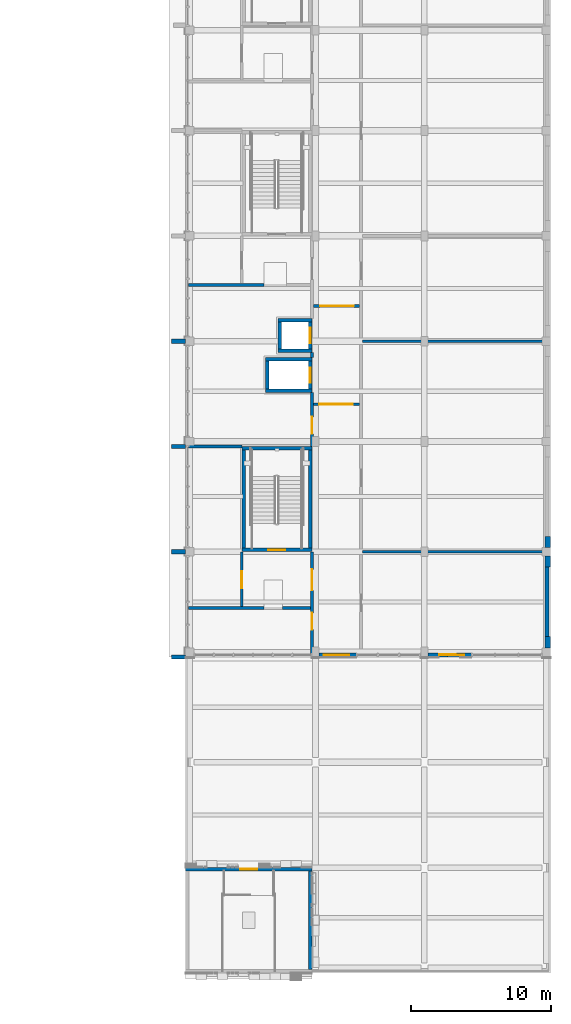
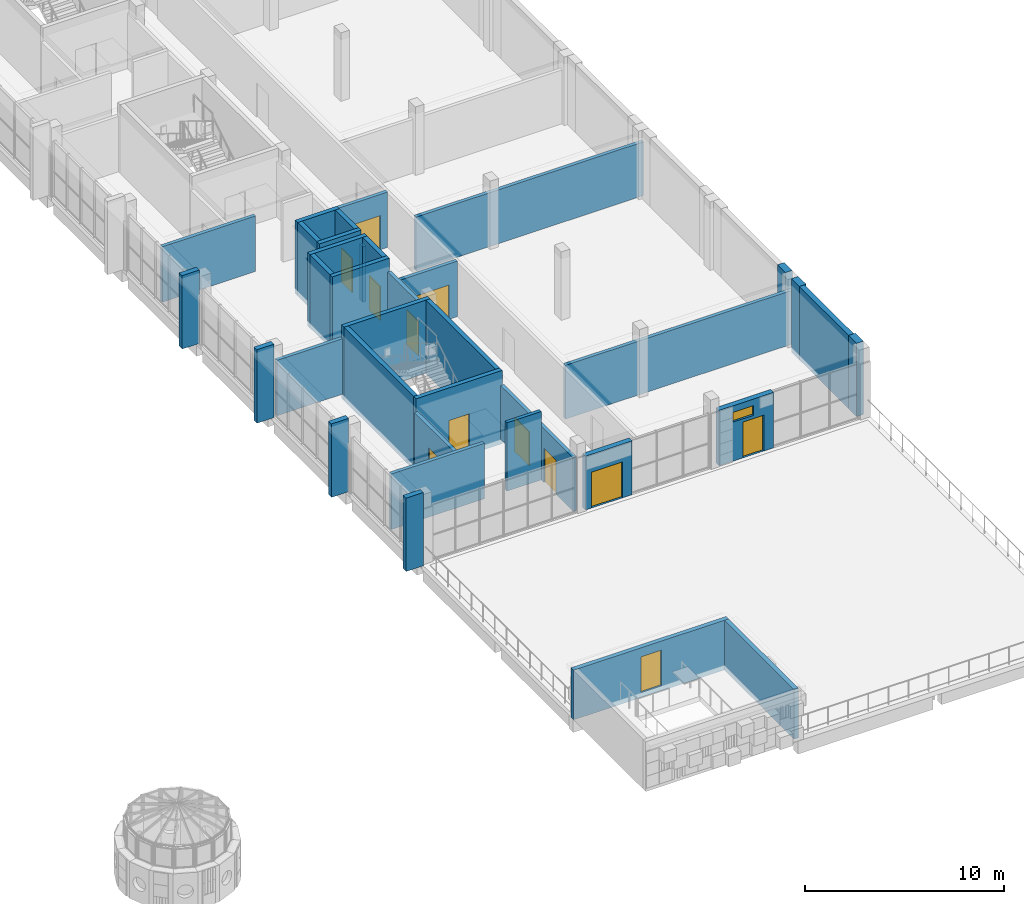
# One storey, part 29 of 42: 36 walls, 12 doors, 1 window, 13 openings.
"""IFC4 building model written with IfcOpenShell, lengths in metres."""

from ifc_helpers import new_model, si_unit, direction, frame, frame_2d, origin, place, context, subcontext, project, spatial, rectangle, extrude, material, layer, layer_set, type_object, element, fill, save


model = new_model("IFC4")

# Units and contexts
model_context = context("Model", 3, precision=1e-05, world=origin(), true_north=direction((0.0, 1.0)))
body_context = subcontext(model_context, "Body", "Model", "MODEL_VIEW")
ifc_project = project(units=[si_unit("LENGTHUNIT", "METRE"), si_unit("AREAUNIT", "SQUARE_METRE"), si_unit("VOLUMEUNIT", "CUBIC_METRE"), si_unit("PLANEANGLEUNIT", "RADIAN"), si_unit("MASSUNIT", "GRAM", prefix="KILO")], contexts=[model_context])

# Site, building, storey
site_placement = place(None, origin())
site = spatial("IfcSite", under=ifc_project, at=site_placement, CompositionType="ELEMENT")
building_placement = place(site_placement, origin())
building = spatial("IfcBuilding", under=site, at=building_placement, Name="Sun Court Science Centre", CompositionType="ELEMENT")
storey_placement = place(building_placement, frame((0.0, 0.0, 20.25)))
storey = spatial("IfcBuildingStorey", under=building, at=storey_placement, Name="L04", CompositionType="ELEMENT", Elevation=20.25)

# Wall, openings, door, window
ifc_material_1 = material(Name="Clay masonry", Category="masonry")
ifc_layer_1 = layer(ifc_material_1, 0.300048828125)
ifc_layer_set_1 = layer_set([ifc_layer_1], Name="Clay masonry")
wall_type_1 = type_object("IfcWallType", Name="Clay masonry infill wall 300", PredefinedType="SOLIDWALL", material=ifc_layer_set_1)
wall_1_placement = place(storey_placement, frame((98.409912109375, 28.64990234375, 0.0), z_axis=(0.0, 0.0, 1.0), x_axis=(-1.0, 0.0, 0.0)))
wall_1 = element("IfcWall", 1, at=wall_1_placement, inside=storey, type_object=wall_type_1, Name="External infill wall L04 south face of the garden level 01", PredefinedType="SOLIDWALL", context=body_context, shape_type="SweptSolid", body=[
    extrude(rectangle(XDim=3.159912109375, YDim=0.300048828125, at=frame_2d((1.580078125, 0.0))), origin(), (0.0, 0.0, 1.0), 3.39990234375),
])
opening_1_placement = place(wall_1_placement, frame((0.56005859375, 0.0, 0.0)))
opening_1 = element("IfcOpeningElement", 2, at=opening_1_placement, cuts=wall_1, Name="Opening D-L04-022", PredefinedType="OPENING", context=body_context, shape_type="SweptSolid", body=[
    extrude(rectangle(XDim=1.199951171875, YDim=2.199951171875, at=frame_2d((0.60009765625, 1.10009765625))), frame((0.0, 0.159912109375, 0.0), z_axis=(0.0, -1.0, 0.0), x_axis=(1.0, 0.0, 0.0)), (0.0, 0.0, 1.0), 0.320068359375),
])
opening_2_placement = place(wall_1_placement, frame((1.159912109375, 0.0, 2.39990234375)))
opening_2 = element("IfcOpeningElement", 3, at=opening_2_placement, cuts=wall_1, Name="Opening WN-L04-057", PredefinedType="OPENING", context=body_context, shape_type="SweptSolid", body=[
    extrude(rectangle(XDim=1.199951171875, YDim=0.60009765625, at=frame_2d((0.60009765625, 0.300048828125))), frame((0.0, 0.159912109375, 0.0), z_axis=(0.0, -1.0, 0.0), x_axis=(1.0, 0.0, 0.0)), (0.0, 0.0, 1.0), 0.320068359375),
])
ifc_material_2 = material(Name="Steel and glass", Category="steel")
door_type_1 = type_object("IfcDoorType", Name="Exterior door 1200 x 2200 single", OperationType="SINGLE_SWING_LEFT", PredefinedType="DOOR", material=ifc_material_2)
door_1_placement = place(opening_1_placement, origin())
door_1 = element("IfcDoor", 4, at=door_1_placement, inside=storey, type_object=door_type_1, Name="Exterior door D-L04-022 to the roof garden", OperationType="SINGLE_SWING_LEFT", OverallHeight=2.199951171875, OverallWidth=1.199951171875, PredefinedType="DOOR", context=body_context, shape_type="SweptSolid", body=[
    extrude(rectangle(XDim=1.199951171875, YDim=2.199951171875, at=frame_2d((0.60009765625, 1.10009765625))), frame((0.0, 0.02490234375, 0.0), z_axis=(0.0, -1.0, 0.0), x_axis=(1.0, 0.0, 0.0)), (0.0, 0.0, 1.0), 0.050048828125),
])
fill(opening_1, door_1)
ifc_material_3 = material(Name="Aluminium frame, 6-12-6 glazing", Category="aluminium")
window_type = type_object("IfcWindowType", Name="Smoke vent opening light 1200 x 600", PartitioningType="SINGLE_PANEL", PredefinedType="WINDOW", material=ifc_material_3)
window_placement = place(opening_2_placement, origin())
window = element("IfcWindow", 5, at=window_placement, inside=storey, type_object=window_type, Name="Smoke vent L04 south face of the garden level", OverallHeight=0.60009765625, OverallWidth=1.199951171875, PartitioningType="SINGLE_PANEL", PredefinedType="WINDOW", context=body_context, shape_type="SweptSolid", body=[
    extrude(rectangle(XDim=1.199951171875, YDim=0.60009765625, at=frame_2d((0.60009765625, 0.300048828125))), frame((0.0, 0.030029296875, 0.0), z_axis=(0.0, -1.0, 0.0), x_axis=(1.0, 0.0, 0.0)), (0.0, 0.0, 1.0), 0.06005859375),
])
fill(opening_2, window)

# Wall, opening, door
wall_2_placement = place(storey_placement, frame((90.2099609375, 28.64990234375, 0.0), z_axis=(0.0, 0.0, 1.0), x_axis=(-1.0, 0.0, 0.0)))
wall_2 = element("IfcWall", 6, at=wall_2_placement, inside=storey, type_object=wall_type_1, Name="External infill wall L04 south face of the garden level 02", PredefinedType="SOLIDWALL", context=body_context, shape_type="SweptSolid", body=[
    extrude(rectangle(XDim=2.7099609375, YDim=0.300048828125, at=frame_2d((1.35498046875, 0.0))), origin(), (0.0, 0.0, 1.0), 3.300048828125),
])
opening_3_placement = place(wall_2_placement, frame((0.56005859375, 0.0, 0.0)))
opening_3 = element("IfcOpeningElement", 7, at=opening_3_placement, cuts=wall_2, Name="Opening D-L04-023", PredefinedType="OPENING", context=body_context, shape_type="SweptSolid", body=[
    extrude(rectangle(XDim=1.800048828125, YDim=2.199951171875, at=frame_2d((0.89990234375, 1.10009765625))), frame((0.0, 0.159912109375, 0.0), z_axis=(0.0, -1.0, 0.0), x_axis=(1.0, 0.0, 0.0)), (0.0, 0.0, 1.0), 0.320068359375),
])
ifc_material_4 = material(Name="Steel and glass", Category="steel")
door_type_2 = type_object("IfcDoorType", Name="Exterior door 1800 x 2200 double", OperationType="DOUBLE_DOOR_SINGLE_SWING", PredefinedType="DOOR", material=ifc_material_4)
door_2_placement = place(opening_3_placement, origin())
door_2 = element("IfcDoor", 8, at=door_2_placement, inside=storey, type_object=door_type_2, Name="Exterior door D-L04-023 to the roof garden", OperationType="SINGLE_SWING_LEFT", OverallHeight=2.199951171875, OverallWidth=1.800048828125, PredefinedType="DOOR", context=body_context, shape_type="SweptSolid", body=[
    extrude(rectangle(XDim=1.800048828125, YDim=2.199951171875, at=frame_2d((0.89990234375, 1.10009765625))), frame((0.0, 0.02490234375, 0.0), z_axis=(0.0, -1.0, 0.0), x_axis=(1.0, 0.0, 0.0)), (0.0, 0.0, 1.0), 0.050048828125),
])
fill(opening_3, door_2)

# Walls
ifc_material_5 = material(Name="Concrete C30/37", Category="concrete")
ifc_layer_2 = layer(ifc_material_5, 0.300048828125)
ifc_layer_set_2 = layer_set([ifc_layer_2], Name="Concrete C30/37")
wall_type_2 = type_object("IfcWallType", Name="Facade fin RC 300", PredefinedType="SOLIDWALL", material=ifc_layer_set_2)
for number, where, z_axis, x_axis, name in (
    (9, (77.0, 28.5, 0.0), (0.0, 0.0, 1.0), (1.0, 0.0, 0.0), "Facade fin 01 L04"),
    (10, (77.0, 36.0, 0.0), (0.0, 0.0, 1.0), (1.0, 0.0, 0.0), "Facade fin 02 L04"),
    (11, (77.0, 43.5, 0.0), (0.0, 0.0, 1.0), (1.0, 0.0, 0.0), "Facade fin 03 L04"),
    (12, (77.0, 51.0, 0.0), (0.0, 0.0, 1.0), (1.0, 0.0, 0.0), "Facade fin 04 L04"),
):
    element("IfcWall", number, at=place(storey_placement, frame(where, z_axis=z_axis, x_axis=x_axis)), inside=storey, type_object=wall_type_2, Name=name, PredefinedType="SOLIDWALL", context=body_context, shape_type="SweptSolid", body=[
        extrude(rectangle(XDim=1.0, YDim=0.300048828125, at=frame_2d((0.5, 0.0))), origin(), (0.0, 0.0, 1.0), 4.5),
    ])
ifc_material_6 = material(Name="Concrete block", Category="concrete")
ifc_layer_3 = layer(ifc_material_6, 0.199951171875)
ifc_layer_set_3 = layer_set([ifc_layer_3], Name="Concrete block")
wall_type_3 = type_object("IfcWallType", Name="Partition 200 block EI60", PredefinedType="PARTITIONING", material=ifc_layer_set_3)
wall_3_placement = place(storey_placement, frame((78.199951171875, 32.0, 0.0), z_axis=(0.0, 0.0, 1.0), x_axis=(1.0, 0.0, 0.0)))
element("IfcWall", 13, at=wall_3_placement, inside=storey, type_object=wall_type_3, Name="L04 partition 001", PredefinedType="PARTITIONING", context=body_context, shape_type="SweptSolid", body=[
    extrude(rectangle(XDim=5.400146484375, YDim=0.199951171875, at=frame_2d((2.7001953125, 0.0))), origin(), (0.0, 0.0, 1.0), 3.39990234375),
])
wall_4_placement = place(storey_placement, frame((84.89990234375, 32.0, 0.0), z_axis=(0.0, 0.0, 1.0), x_axis=(1.0, 0.0, 0.0)))
element("IfcWall", 14, at=wall_4_placement, inside=storey, type_object=wall_type_3, Name="L04 partition 002", PredefinedType="PARTITIONING", context=body_context, shape_type="SweptSolid", body=[
    extrude(rectangle(XDim=2.0, YDim=0.199951171875, at=frame_2d((1.0, 0.0))), origin(), (0.0, 0.0, 1.0), 4.199951171875),
])
wall_5_placement = place(storey_placement, frame((78.199951171875, 55.0, 0.0), z_axis=(0.0, 0.0, 1.0), x_axis=(1.0, 0.0, 0.0)))
element("IfcWall", 15, at=wall_5_placement, inside=storey, type_object=wall_type_3, Name="L04 partition 008", PredefinedType="PARTITIONING", context=body_context, shape_type="SweptSolid", body=[
    extrude(rectangle(XDim=5.400146484375, YDim=0.199951171875, at=frame_2d((2.7001953125, 0.0))), origin(), (0.0, 0.0, 1.0), 3.39990234375),
])
wall_6_placement = place(storey_placement, frame((87.0, 49.85205078125, 0.0), z_axis=(0.0, 0.0, 1.0), x_axis=(0.0, 1.0, 0.0)))
element("IfcWall", 16, at=wall_6_placement, inside=storey, type_object=wall_type_3, Name="L04 partition 018", PredefinedType="PARTITIONING", context=body_context, shape_type="SweptSolid", body=[
    extrude(rectangle(XDim=0.33349609375, YDim=0.199951171875, at=frame_2d((0.166748046875, 0.0))), origin(), (0.0, 0.0, 1.0), 3.39990234375),
])

# Wall, opening, door
wall_7_placement = place(storey_placement, frame((82.0, 32.10009765625, 0.0), z_axis=(0.0, 0.0, 1.0), x_axis=(0.0, 1.0, 0.0)))
wall_7 = element("IfcWall", 17, at=wall_7_placement, inside=storey, type_object=wall_type_3, Name="L04 partition 021", PredefinedType="PARTITIONING", context=body_context, shape_type="SweptSolid", body=[
    extrude(rectangle(XDim=3.89794921875, YDim=0.199951171875, at=frame_2d((1.948974609375, 0.0))), origin(), (0.0, 0.0, 1.0), 3.39990234375),
])
opening_4_placement = place(wall_7_placement, frame((1.301025390625, 0.0, 0.0)))
opening_4 = element("IfcOpeningElement", 18, at=opening_4_placement, cuts=wall_7, Name="Opening D-L04-012", PredefinedType="OPENING", context=body_context, shape_type="SweptSolid", body=[
    extrude(rectangle(XDim=1.199951171875, YDim=2.10009765625, at=frame_2d((0.60009765625, 1.050048828125))), frame((0.0, 0.10986328125, 0.0), z_axis=(0.0, -1.0, 0.0), x_axis=(1.0, 0.0, 0.0)), (0.0, 0.0, 1.0), 0.219970703125),
])
ifc_material_7 = material(Name="Timber", Category="wood")
door_type_3 = type_object("IfcDoorType", Name="Door 1200x2100 single leaf", OperationType="NOTDEFINED", PredefinedType="DOOR", material=ifc_material_7)
door_3_placement = place(opening_4_placement, origin())
door_3 = element("IfcDoor", 19, at=door_3_placement, inside=storey, type_object=door_type_3, Name="Door D-L04-012", OperationType="SINGLE_SWING_RIGHT", OverallHeight=2.10009765625, OverallWidth=1.199951171875, PredefinedType="DOOR", context=body_context, shape_type="SweptSolid", body=[
    extrude(rectangle(XDim=1.199951171875, YDim=2.10009765625, at=frame_2d((0.60009765625, 1.050048828125))), frame((0.0, 0.02490234375, 0.0), z_axis=(0.0, -1.0, 0.0), x_axis=(1.0, 0.0, 0.0)), (0.0, 0.0, 1.0), 0.050048828125),
])
fill(opening_4, door_3)

ifc_material_8 = material(Name="Concrete block", Category="concrete")
ifc_layer_4 = layer(ifc_material_8, 0.199951171875)
ifc_layer_set_4 = layer_set([ifc_layer_4], Name="Concrete block")
wall_type_4 = type_object("IfcWallType", Name="Partition 200 corridor block EI120", PredefinedType="PARTITIONING", material=ifc_layer_set_4)
wall_8_placement = place(storey_placement, frame((90.39990234375, 46.5, 0.0), z_axis=(0.0, 0.0, 1.0), x_axis=(-1.0, 0.0, 0.0)))
wall_8 = element("IfcWall", 20, at=wall_8_placement, inside=storey, type_object=wall_type_4, Name="L04 partition 005", PredefinedType="PARTITIONING", context=body_context, shape_type="SweptSolid", body=[
    extrude(rectangle(XDim=3.2998046875, YDim=0.199951171875, at=frame_2d((1.64990234375, 0.0))), origin(), (0.0, 0.0, 1.0), 3.39990234375),
])
opening_5_placement = place(wall_8_placement, frame((0.47705078125, 0.0, 0.0)))
opening_5 = element("IfcOpeningElement", 21, at=opening_5_placement, cuts=wall_8, Name="Opening D-L04-004", PredefinedType="OPENING", context=body_context, shape_type="SweptSolid", body=[
    extrude(rectangle(XDim=2.39990234375, YDim=2.10009765625, at=frame_2d((1.199951171875, 1.050048828125))), frame((0.0, 0.10986328125, 0.0), z_axis=(0.0, -1.0, 0.0), x_axis=(1.0, 0.0, 0.0)), (0.0, 0.0, 1.0), 0.219970703125),
])
ifc_material_9 = material(Name="Steel", Category="steel")
door_type_4 = type_object("IfcDoorType", Name="Door 2400x2100 double leaf FD60", OperationType="DOUBLE_DOOR_SINGLE_SWING", PredefinedType="DOOR", material=ifc_material_9)
door_4_placement = place(opening_5_placement, origin())
door_4 = element("IfcDoor", 22, at=door_4_placement, inside=storey, type_object=door_type_4, Name="Door D-L04-004", OperationType="DOUBLE_DOOR_SINGLE_SWING", OverallHeight=2.10009765625, OverallWidth=2.39990234375, PredefinedType="DOOR", context=body_context, shape_type="SweptSolid", body=[
    extrude(rectangle(XDim=2.39990234375, YDim=2.10009765625, at=frame_2d((1.199951171875, 1.050048828125))), frame((0.0, 0.02490234375, 0.0), z_axis=(0.0, -1.0, 0.0), x_axis=(1.0, 0.0, 0.0)), (0.0, 0.0, 1.0), 0.050048828125),
])
fill(opening_5, door_4)

wall_9_placement = place(storey_placement, frame((87.10009765625, 53.5, 0.0), z_axis=(0.0, 0.0, 1.0), x_axis=(1.0, 0.0, 0.0)))
wall_9 = element("IfcWall", 23, at=wall_9_placement, inside=storey, type_object=wall_type_4, Name="L04 partition 007", PredefinedType="PARTITIONING", context=body_context, shape_type="SweptSolid", body=[
    extrude(rectangle(XDim=3.2998046875, YDim=0.199951171875, at=frame_2d((1.64990234375, 0.0))), origin(), (0.0, 0.0, 1.0), 3.39990234375),
])
opening_6_placement = place(wall_9_placement, frame((0.47705078125, 0.0, 0.0)))
opening_6 = element("IfcOpeningElement", 24, at=opening_6_placement, cuts=wall_9, Name="Opening D-L04-001", PredefinedType="OPENING", context=body_context, shape_type="SweptSolid", body=[
    extrude(rectangle(XDim=2.39990234375, YDim=2.10009765625, at=frame_2d((1.199951171875, 1.050048828125))), frame((0.0, 0.10986328125, 0.0), z_axis=(0.0, -1.0, 0.0), x_axis=(1.0, 0.0, 0.0)), (0.0, 0.0, 1.0), 0.219970703125),
])
door_5_placement = place(opening_6_placement, origin())
door_5 = element("IfcDoor", 25, at=door_5_placement, inside=storey, type_object=door_type_4, Name="Door D-L04-001", OperationType="DOUBLE_DOOR_SINGLE_SWING", OverallHeight=2.10009765625, OverallWidth=2.39990234375, PredefinedType="DOOR", context=body_context, shape_type="SweptSolid", body=[
    extrude(rectangle(XDim=2.39990234375, YDim=2.10009765625, at=frame_2d((1.199951171875, 1.050048828125))), frame((0.0, 0.02490234375, 0.0), z_axis=(0.0, -1.0, 0.0), x_axis=(1.0, 0.0, 0.0)), (0.0, 0.0, 1.0), 0.050048828125),
])
fill(opening_6, door_5)

# Wall, openings, doors
wall_10_placement = place(storey_placement, frame((87.0, 28.699951171875, 0.0), z_axis=(0.0, 0.0, 1.0), x_axis=(0.0, 1.0, 0.0)))
wall_10 = element("IfcWall", 26, at=wall_10_placement, inside=storey, type_object=wall_type_4, Name="L04 partition 016", PredefinedType="PARTITIONING", context=body_context, shape_type="SweptSolid", body=[
    extrude(rectangle(XDim=7.298095703125, YDim=0.199951171875, at=frame_2d((3.64892578125, 0.0))), origin(), (0.0, 0.0, 1.0), 3.300048828125),
])
opening_7_placement = place(wall_10_placement, frame((4.550048828125, 0.0, 0.0)))
opening_7 = element("IfcOpeningElement", 27, at=opening_7_placement, cuts=wall_10, Name="Opening D-L04-006", PredefinedType="OPENING", context=body_context, shape_type="SweptSolid", body=[
    extrude(rectangle(XDim=1.5, YDim=2.10009765625, at=frame_2d((0.75, 1.050048828125))), frame((0.0, 0.10986328125, 0.0), z_axis=(0.0, -1.0, 0.0), x_axis=(1.0, 0.0, 0.0)), (0.0, 0.0, 1.0), 0.219970703125),
])
opening_8_placement = place(wall_10_placement, frame((1.75, 0.0, 0.0)))
opening_8 = element("IfcOpeningElement", 28, at=opening_8_placement, cuts=wall_10, Name="Opening D-L04-011", PredefinedType="OPENING", context=body_context, shape_type="SweptSolid", body=[
    extrude(rectangle(XDim=1.199951171875, YDim=2.10009765625, at=frame_2d((0.60009765625, 1.050048828125))), frame((0.0, 0.10986328125, 0.0), z_axis=(0.0, -1.0, 0.0), x_axis=(1.0, 0.0, 0.0)), (0.0, 0.0, 1.0), 0.219970703125),
])
ifc_material_10 = material(Name="Steel", Category="steel")
door_type_5 = type_object("IfcDoorType", Name="Door 1200x2100 single leaf FD60", OperationType="NOTDEFINED", PredefinedType="DOOR", material=ifc_material_10)
door_6_placement = place(opening_8_placement, origin())
door_6 = element("IfcDoor", 29, at=door_6_placement, inside=storey, type_object=door_type_5, Name="Door D-L04-011", OperationType="SINGLE_SWING_RIGHT", OverallHeight=2.10009765625, OverallWidth=1.199951171875, PredefinedType="DOOR", context=body_context, shape_type="SweptSolid", body=[
    extrude(rectangle(XDim=1.199951171875, YDim=2.10009765625, at=frame_2d((0.60009765625, 1.050048828125))), frame((0.0, 0.02490234375, 0.0), z_axis=(0.0, -1.0, 0.0), x_axis=(1.0, 0.0, 0.0)), (0.0, 0.0, 1.0), 0.050048828125),
])
fill(opening_8, door_6)
ifc_material_11 = material(Name="Steel", Category="steel")
door_type_6 = type_object("IfcDoorType", Name="Door 1500x2100 double leaf FD60", OperationType="DOUBLE_DOOR_SINGLE_SWING", PredefinedType="DOOR", material=ifc_material_11)
door_7_placement = place(opening_7_placement, origin())
door_7 = element("IfcDoor", 30, at=door_7_placement, inside=storey, type_object=door_type_6, Name="Door D-L04-006", OperationType="DOUBLE_DOOR_SINGLE_SWING", OverallHeight=2.10009765625, OverallWidth=1.5, PredefinedType="DOOR", context=body_context, shape_type="SweptSolid", body=[
    extrude(rectangle(XDim=1.5, YDim=2.10009765625, at=frame_2d((0.75, 1.050048828125))), frame((0.0, 0.02490234375, 0.0), z_axis=(0.0, -1.0, 0.0), x_axis=(1.0, 0.0, 0.0)), (0.0, 0.0, 1.0), 0.050048828125),
])
fill(opening_7, door_7)

# Wall, opening, door
wall_11_placement = place(storey_placement, frame((87.0, 43.501953125, 0.0), z_axis=(0.0, 0.0, 1.0), x_axis=(0.0, 1.0, 0.0)))
wall_11 = element("IfcWall", 31, at=wall_11_placement, inside=storey, type_object=wall_type_4, Name="L04 partition 017", PredefinedType="PARTITIONING", context=body_context, shape_type="SweptSolid", body=[
    extrude(rectangle(XDim=3.845947265625, YDim=0.199951171875, at=frame_2d((1.9228515625, 0.0))), origin(), (0.0, 0.0, 1.0), 3.39990234375),
])
opening_9_placement = place(wall_11_placement, frame((0.89892578125, 0.0, 0.0)))
opening_9 = element("IfcOpeningElement", 32, at=opening_9_placement, cuts=wall_11, Name="Opening D-L04-013", PredefinedType="OPENING", context=body_context, shape_type="SweptSolid", body=[
    extrude(rectangle(XDim=1.199951171875, YDim=2.10009765625, at=frame_2d((0.60009765625, 1.050048828125))), frame((0.0, 0.10986328125, 0.0), z_axis=(0.0, -1.0, 0.0), x_axis=(1.0, 0.0, 0.0)), (0.0, 0.0, 1.0), 0.219970703125),
])
door_8_placement = place(opening_9_placement, origin())
door_8 = element("IfcDoor", 33, at=door_8_placement, inside=storey, type_object=door_type_5, Name="Door D-L04-013", OperationType="SINGLE_SWING_RIGHT", OverallHeight=2.10009765625, OverallWidth=1.199951171875, PredefinedType="DOOR", context=body_context, shape_type="SweptSolid", body=[
    extrude(rectangle(XDim=1.199951171875, YDim=2.10009765625, at=frame_2d((0.60009765625, 1.050048828125))), frame((0.0, 0.02490234375, 0.0), z_axis=(0.0, -1.0, 0.0), x_axis=(1.0, 0.0, 0.0)), (0.0, 0.0, 1.0), 0.050048828125),
])
fill(opening_9, door_8)

# Walls
ifc_material_12 = material(Name="Concrete block", Category="concrete")
ifc_layer_5 = layer(ifc_material_12, 0.199951171875)
ifc_layer_set_5 = layer_set([ifc_layer_5], Name="Concrete block")
wall_type_5 = type_object("IfcWallType", Name="Partition 200 laboratory block", PredefinedType="PARTITIONING", material=ifc_layer_set_5)
wall_12_placement = place(storey_placement, frame((90.60009765625, 36.0, 0.0), z_axis=(0.0, 0.0, 1.0), x_axis=(1.0, 0.0, 0.0)))
element("IfcWall", 34, at=wall_12_placement, inside=storey, type_object=wall_type_5, Name="L04 partition 003", PredefinedType="PARTITIONING", context=body_context, shape_type="SweptSolid", body=[
    extrude(rectangle(XDim=13.199951171875, YDim=0.199951171875, at=frame_2d((6.60009765625, 0.0))), origin(), (0.0, 0.0, 1.0), 3.300048828125),
])
wall_13_placement = place(storey_placement, frame((78.199951171875, 43.5, 0.0), z_axis=(0.0, 0.0, 1.0), x_axis=(1.0, 0.0, 0.0)))
element("IfcWall", 35, at=wall_13_placement, inside=storey, type_object=wall_type_5, Name="L04 partition 004", PredefinedType="PARTITIONING", context=body_context, shape_type="SweptSolid", body=[
    extrude(rectangle(XDim=3.798095703125, YDim=0.199951171875, at=frame_2d((1.89892578125, 0.0))), origin(), (0.0, 0.0, 1.0), 3.39990234375),
])
wall_14_placement = place(storey_placement, frame((90.60009765625, 51.0, 0.0), z_axis=(0.0, 0.0, 1.0), x_axis=(1.0, 0.0, 0.0)))
element("IfcWall", 36, at=wall_14_placement, inside=storey, type_object=wall_type_5, Name="L04 partition 006", PredefinedType="PARTITIONING", context=body_context, shape_type="SweptSolid", body=[
    extrude(rectangle(XDim=13.199951171875, YDim=0.199951171875, at=frame_2d((6.60009765625, 0.0))), origin(), (0.0, 0.0, 1.0), 3.300048828125),
])
ifc_material_13 = material(Name="Concrete C30/37", Category="concrete")
ifc_layer_6 = layer(ifc_material_13, 0.39990234375)
ifc_layer_set_6 = layer_set([ifc_layer_6], Name="Concrete C30/37")
wall_type_6 = type_object("IfcWallType", Name="RC party wall exterior 400", PredefinedType="SOLIDWALL", material=ifc_layer_set_6)
for number, where, z_axis, x_axis, name in (
    (37, (103.800048828125, 29.14990234375, -0.300048828125), (0.0, 0.0, 1.0), (0.0, 1.0, 0.0), "East party wall L04"),
    (38, (103.800048828125, 34.89990234375, -0.300048828125), (0.0, 0.0, 1.0), (0.0, 1.0, 0.0), "East party wall L04"),
    (39, (103.800048828125, 36.300048828125, -0.300048828125), (0.0, 0.0, 1.0), (0.0, 1.0, 0.0), "East party wall L04"),
):
    element("IfcWall", number, at=place(storey_placement, frame(where, z_axis=z_axis, x_axis=x_axis)), inside=storey, type_object=wall_type_6, Name=name, PredefinedType="SOLIDWALL", context=body_context, shape_type="SweptSolid", body=[
        extrude(rectangle(XDim=0.800048828125, YDim=0.39990234375, at=frame_2d((0.39990234375, 0.0))), origin(), (0.0, 0.0, 1.0), 4.5),
    ])
ifc_material_14 = material(Name="Concrete C30/37", Category="concrete")
ifc_layer_7 = layer(ifc_material_14, 0.300048828125)
ifc_layer_set_7 = layer_set([ifc_layer_7], Name="Concrete C30/37")
wall_type_7 = type_object("IfcWallType", Name="RC party wall panel exterior 300", PredefinedType="SOLIDWALL", material=ifc_layer_set_7)
wall_15_placement = place(storey_placement, frame((103.75, 29.949951171875, -0.300048828125), z_axis=(0.0, 0.0, 1.0), x_axis=(0.0, 1.0, 0.0)))
element("IfcWall", 40, at=wall_15_placement, inside=storey, type_object=wall_type_7, Name="East party wall L04 panel", PredefinedType="SOLIDWALL", context=body_context, shape_type="SweptSolid", body=[
    extrude(rectangle(XDim=4.949951171875, YDim=0.300048828125, at=frame_2d((2.47509765625, 0.0))), origin(), (0.0, 0.0, 1.0), 4.5),
])
ifc_material_15 = material(Name="Concrete C30/37", Category="concrete")
ifc_layer_8 = layer(ifc_material_15, 0.25)
ifc_layer_set_8 = layer_set([ifc_layer_8], Name="Concrete C30/37")
wall_type_8 = type_object("IfcWallType", Name="RC shaft wall 250", PredefinedType="SHEAR", material=ifc_layer_set_8)
wall_16_placement = place(storey_placement, frame((83.699951171875, 47.47509765625, -0.300048828125), z_axis=(0.0, 0.0, 1.0), x_axis=(1.0, 0.0, 0.0)))
element("IfcWall", 41, at=wall_16_placement, inside=storey, type_object=wall_type_8, Name="Lift core LL1 wall S, L04", PredefinedType="SHEAR", context=body_context, shape_type="SweptSolid", body=[
    extrude(rectangle(XDim=3.300048828125, YDim=0.25, at=frame_2d((1.64990234375, 0.0))), origin(), (0.0, 0.0, 1.0), 4.5),
])

# Wall, opening, door
wall_17_placement = place(storey_placement, frame((86.875, 47.60009765625, -0.300048828125), z_axis=(0.0, 0.0, 1.0), x_axis=(0.0, 1.0, 0.0)))
wall_17 = element("IfcWall", 42, at=wall_17_placement, inside=storey, type_object=wall_type_8, Name="Lift core LL1 wall E, L04", PredefinedType="SHEAR", context=body_context, shape_type="SweptSolid", body=[
    extrude(rectangle(XDim=2.0, YDim=0.25, at=frame_2d((1.0, 0.0))), origin(), (0.0, 0.0, 1.0), 4.5),
])
opening_10_placement = place(wall_17_placement, frame((0.424072265625, 0.0, 0.300048828125)))
opening_10 = element("IfcOpeningElement", 43, at=opening_10_placement, cuts=wall_17, Name="Opening D-L04-002", PredefinedType="OPENING", context=body_context, shape_type="SweptSolid", body=[
    extrude(rectangle(XDim=1.10009765625, YDim=2.10009765625, at=frame_2d((0.550048828125, 1.050048828125))), frame((0.0, 0.135009765625, 0.0), z_axis=(0.0, -1.0, 0.0), x_axis=(1.0, 0.0, 0.0)), (0.0, 0.0, 1.0), 0.27001953125),
])
ifc_material_16 = material(Name="Steel", Category="steel")
door_type_7 = type_object("IfcDoorType", Name="Lift landing door 1100x2100 sliding", OperationType="DOUBLE_DOOR_SLIDING", PredefinedType="DOOR", material=ifc_material_16)
door_9_placement = place(opening_10_placement, origin())
door_9 = element("IfcDoor", 44, at=door_9_placement, inside=storey, type_object=door_type_7, Name="Lift landing door D-L04-002", OperationType="DOUBLE_DOOR_SLIDING", OverallHeight=2.10009765625, OverallWidth=1.10009765625, PredefinedType="DOOR", context=body_context, shape_type="SweptSolid", body=[
    extrude(rectangle(XDim=1.10009765625, YDim=2.10009765625, at=frame_2d((0.550048828125, 1.050048828125))), frame((0.0, 0.02490234375, 0.0), z_axis=(0.0, -1.0, 0.0), x_axis=(1.0, 0.0, 0.0)), (0.0, 0.0, 1.0), 0.050048828125),
])
fill(opening_10, door_9)

# Walls
wall_18_placement = place(storey_placement, frame((83.699951171875, 49.72509765625, -0.300048828125), z_axis=(0.0, 0.0, 1.0), x_axis=(1.0, 0.0, 0.0)))
element("IfcWall", 45, at=wall_18_placement, inside=storey, type_object=wall_type_8, Name="Lift core LL1 wall N, L04", PredefinedType="SHEAR", context=body_context, shape_type="SweptSolid", body=[
    extrude(rectangle(XDim=3.300048828125, YDim=0.25, at=frame_2d((1.64990234375, 0.0))), origin(), (0.0, 0.0, 1.0), 4.5),
])
wall_19_placement = place(storey_placement, frame((83.824951171875, 47.60009765625, -0.300048828125), z_axis=(0.0, 0.0, 1.0), x_axis=(0.0, 1.0, 0.0)))
element("IfcWall", 46, at=wall_19_placement, inside=storey, type_object=wall_type_8, Name="Lift core LL1 wall W, L04", PredefinedType="SHEAR", context=body_context, shape_type="SweptSolid", body=[
    extrude(rectangle(XDim=2.0, YDim=0.25, at=frame_2d((1.0, 0.0))), origin(), (0.0, 0.0, 1.0), 4.5),
])
wall_20_placement = place(storey_placement, frame((84.577392578125, 50.3125, -0.300048828125), z_axis=(0.0, 0.0, 1.0), x_axis=(1.0, 0.0, 0.0)))
element("IfcWall", 47, at=wall_20_placement, inside=storey, type_object=wall_type_8, Name="Lift core LL2 wall S, L04", PredefinedType="SHEAR", context=body_context, shape_type="SweptSolid", body=[
    extrude(rectangle(XDim=2.425048828125, YDim=0.25, at=frame_2d((1.21240234375, 0.0))), origin(), (0.0, 0.0, 1.0), 4.5),
])

# Wall, opening, door
wall_21_placement = place(storey_placement, frame((86.87744140625, 50.4375, -0.300048828125), z_axis=(0.0, 0.0, 1.0), x_axis=(0.0, 1.0, 0.0)))
wall_21 = element("IfcWall", 48, at=wall_21_placement, inside=storey, type_object=wall_type_8, Name="Lift core LL2 wall E, L04", PredefinedType="SHEAR", context=body_context, shape_type="SweptSolid", body=[
    extrude(rectangle(XDim=1.925048828125, YDim=0.25, at=frame_2d((0.96240234375, 0.0))), origin(), (0.0, 0.0, 1.0), 4.5),
])
opening_11_placement = place(wall_21_placement, frame((0.41259765625, 0.0, 0.300048828125)))
opening_11 = element("IfcOpeningElement", 49, at=opening_11_placement, cuts=wall_21, Name="Opening D-L04-003", PredefinedType="OPENING", context=body_context, shape_type="SweptSolid", body=[
    extrude(rectangle(XDim=1.10009765625, YDim=2.10009765625, at=frame_2d((0.550048828125, 1.050048828125))), frame((0.0, 0.135009765625, 0.0), z_axis=(0.0, -1.0, 0.0), x_axis=(1.0, 0.0, 0.0)), (0.0, 0.0, 1.0), 0.27001953125),
])
door_10_placement = place(opening_11_placement, origin())
door_10 = element("IfcDoor", 50, at=door_10_placement, inside=storey, type_object=door_type_7, Name="Lift landing door D-L04-003", OperationType="DOUBLE_DOOR_SLIDING", OverallHeight=2.10009765625, OverallWidth=1.10009765625, PredefinedType="DOOR", context=body_context, shape_type="SweptSolid", body=[
    extrude(rectangle(XDim=1.10009765625, YDim=2.10009765625, at=frame_2d((0.550048828125, 1.050048828125))), frame((0.0, 0.02490234375, 0.0), z_axis=(0.0, -1.0, 0.0), x_axis=(1.0, 0.0, 0.0)), (0.0, 0.0, 1.0), 0.050048828125),
])
fill(opening_11, door_10)

# Walls
wall_22_placement = place(storey_placement, frame((84.577392578125, 52.487548828125, -0.300048828125), z_axis=(0.0, 0.0, 1.0), x_axis=(1.0, 0.0, 0.0)))
element("IfcWall", 51, at=wall_22_placement, inside=storey, type_object=wall_type_8, Name="Lift core LL2 wall N, L04", PredefinedType="SHEAR", context=body_context, shape_type="SweptSolid", body=[
    extrude(rectangle(XDim=2.425048828125, YDim=0.25, at=frame_2d((1.21240234375, 0.0))), origin(), (0.0, 0.0, 1.0), 4.5),
])
wall_23_placement = place(storey_placement, frame((84.702392578125, 50.4375, -0.300048828125), z_axis=(0.0, 0.0, 1.0), x_axis=(0.0, 1.0, 0.0)))
element("IfcWall", 52, at=wall_23_placement, inside=storey, type_object=wall_type_8, Name="Lift core LL2 wall W, L04", PredefinedType="SHEAR", context=body_context, shape_type="SweptSolid", body=[
    extrude(rectangle(XDim=1.925048828125, YDim=0.25, at=frame_2d((0.96240234375, 0.0))), origin(), (0.0, 0.0, 1.0), 4.5),
])
ifc_material_17 = material(Name="Concrete C30/37", Category="concrete")
ifc_layer_9 = layer(ifc_material_17, 0.25)
ifc_layer_set_9 = layer_set([ifc_layer_9], Name="Concrete C30/37")
wall_type_9 = type_object("IfcWallType", Name="RC stair core wall 250", PredefinedType="SHEAR", material=ifc_layer_set_9)
wall_24_placement = place(storey_placement, frame((86.875, 6.25, -0.300048828125), z_axis=(0.0, 0.0, 1.0), x_axis=(0.0, 1.0, 0.0)))
element("IfcWall", 53, at=wall_24_placement, inside=storey, type_object=wall_type_9, Name="Stair core SL1 wall E, L04", PredefinedType="SHEAR", context=body_context, shape_type="SweptSolid", body=[
    extrude(rectangle(XDim=7.0, YDim=0.25, at=frame_2d((3.5, 0.0))), origin(), (0.0, 0.0, 1.0), 3.050048828125),
])

# Wall, opening, door
wall_25_placement = place(storey_placement, frame((78.0, 13.375, -0.300048828125), z_axis=(0.0, 0.0, 1.0), x_axis=(1.0, 0.0, 0.0)))
wall_25 = element("IfcWall", 54, at=wall_25_placement, inside=storey, type_object=wall_type_9, Name="Stair core SL1 wall N, L04", PredefinedType="SHEAR", context=body_context, shape_type="SweptSolid", body=[
    extrude(rectangle(XDim=9.0, YDim=0.25, at=frame_2d((4.5, 0.0))), origin(), (0.0, 0.0, 1.0), 3.050048828125),
])
opening_12_placement = place(wall_25_placement, frame((3.89990234375, 0.0, 0.300048828125)))
opening_12 = element("IfcOpeningElement", 55, at=opening_12_placement, cuts=wall_25, Name="Opening D-L04-024", PredefinedType="OPENING", context=body_context, shape_type="SweptSolid", body=[
    extrude(rectangle(XDim=1.199951171875, YDim=2.199951171875, at=frame_2d((0.60009765625, 1.10009765625))), frame((0.0, 0.135009765625, 0.0), z_axis=(0.0, -1.0, 0.0), x_axis=(1.0, 0.0, 0.0)), (0.0, 0.0, 1.0), 0.27001953125),
])
door_11_placement = place(opening_12_placement, origin())
door_11 = element("IfcDoor", 56, at=door_11_placement, inside=storey, type_object=door_type_1, Name="Exterior door D-L04-024 to the roof garden", OperationType="SINGLE_SWING_LEFT", OverallHeight=2.199951171875, OverallWidth=1.199951171875, PredefinedType="DOOR", context=body_context, shape_type="SweptSolid", body=[
    extrude(rectangle(XDim=1.199951171875, YDim=2.199951171875, at=frame_2d((0.60009765625, 1.10009765625))), frame((0.0, 0.02490234375, 0.0), z_axis=(0.0, -1.0, 0.0), x_axis=(1.0, 0.0, 0.0)), (0.0, 0.0, 1.0), 0.050048828125),
])
fill(opening_12, door_11)

wall_26_placement = place(storey_placement, frame((82.0, 36.125, -0.300048828125), z_axis=(0.0, 0.0, 1.0), x_axis=(1.0, 0.0, 0.0)))
wall_26 = element("IfcWall", 57, at=wall_26_placement, inside=storey, type_object=wall_type_9, Name="Stair core SL2 wall S, L04", PredefinedType="SHEAR", context=body_context, shape_type="SweptSolid", body=[
    extrude(rectangle(XDim=5.0, YDim=0.25, at=frame_2d((2.5, 0.0))), origin(), (0.0, 0.0, 1.0), 4.5),
])
opening_13_placement = place(wall_26_placement, frame((1.89990234375, 0.0, 0.300048828125)))
opening_13 = element("IfcOpeningElement", 58, at=opening_13_placement, cuts=wall_26, Name="Opening D-L04-005", PredefinedType="OPENING", context=body_context, shape_type="SweptSolid", body=[
    extrude(rectangle(XDim=1.199951171875, YDim=2.199951171875, at=frame_2d((0.60009765625, 1.10009765625))), frame((0.0, 0.135009765625, 0.0), z_axis=(0.0, -1.0, 0.0), x_axis=(1.0, 0.0, 0.0)), (0.0, 0.0, 1.0), 0.27001953125),
])
ifc_material_18 = material(Name="Steel", Category="steel")
door_type_8 = type_object("IfcDoorType", Name="Door 1200x2200 single leaf FD60", OperationType="NOTDEFINED", PredefinedType="DOOR", material=ifc_material_18)
door_12_placement = place(opening_13_placement, origin())
door_12 = element("IfcDoor", 59, at=door_12_placement, inside=storey, type_object=door_type_8, Name="Door D-L04-005", OperationType="SINGLE_SWING_LEFT", OverallHeight=2.199951171875, OverallWidth=1.199951171875, PredefinedType="DOOR", context=body_context, shape_type="SweptSolid", body=[
    extrude(rectangle(XDim=1.199951171875, YDim=2.199951171875, at=frame_2d((0.60009765625, 1.10009765625))), frame((0.0, 0.02490234375, 0.0), z_axis=(0.0, -1.0, 0.0), x_axis=(1.0, 0.0, 0.0)), (0.0, 0.0, 1.0), 0.050048828125),
])
fill(opening_13, door_12)

# Walls
wall_27_placement = place(storey_placement, frame((86.875, 36.25, -0.300048828125), z_axis=(0.0, 0.0, 1.0), x_axis=(0.0, 1.0, 0.0)))
element("IfcWall", 60, at=wall_27_placement, inside=storey, type_object=wall_type_9, Name="Stair core SL2 wall E, L04", PredefinedType="SHEAR", context=body_context, shape_type="SweptSolid", body=[
    extrude(rectangle(XDim=7.0, YDim=0.25, at=frame_2d((3.5, 0.0))), origin(), (0.0, 0.0, 1.0), 4.5),
])
wall_28_placement = place(storey_placement, frame((82.0, 43.375, -0.300048828125), z_axis=(0.0, 0.0, 1.0), x_axis=(1.0, 0.0, 0.0)))
element("IfcWall", 61, at=wall_28_placement, inside=storey, type_object=wall_type_9, Name="Stair core SL2 wall N, L04", PredefinedType="SHEAR", context=body_context, shape_type="SweptSolid", body=[
    extrude(rectangle(XDim=5.0, YDim=0.25, at=frame_2d((2.5, 0.0))), origin(), (0.0, 0.0, 1.0), 4.5),
])
wall_29_placement = place(storey_placement, frame((82.125, 36.25, -0.300048828125), z_axis=(0.0, 0.0, 1.0), x_axis=(0.0, 1.0, 0.0)))
element("IfcWall", 62, at=wall_29_placement, inside=storey, type_object=wall_type_9, Name="Stair core SL2 wall W, L04", PredefinedType="SHEAR", context=body_context, shape_type="SweptSolid", body=[
    extrude(rectangle(XDim=7.0, YDim=0.25, at=frame_2d((3.5, 0.0))), origin(), (0.0, 0.0, 1.0), 4.5),
])

save(model, "model.ifc")
